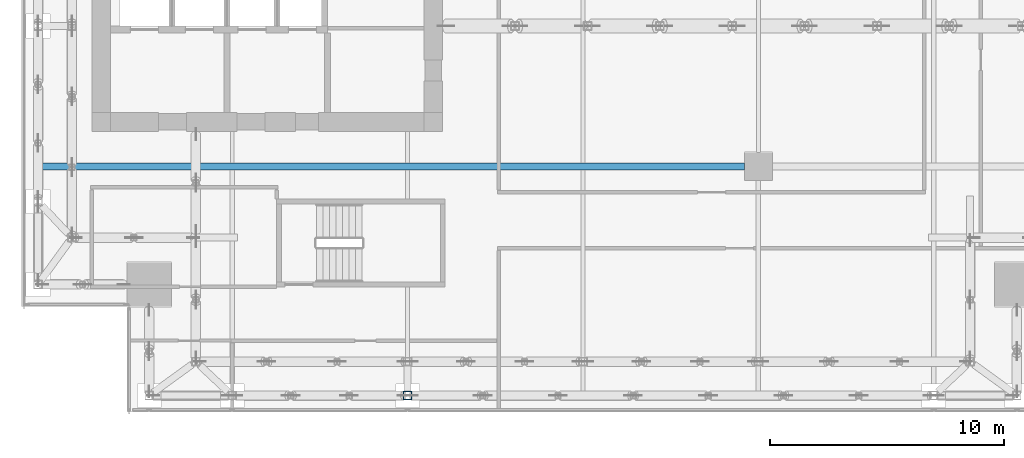
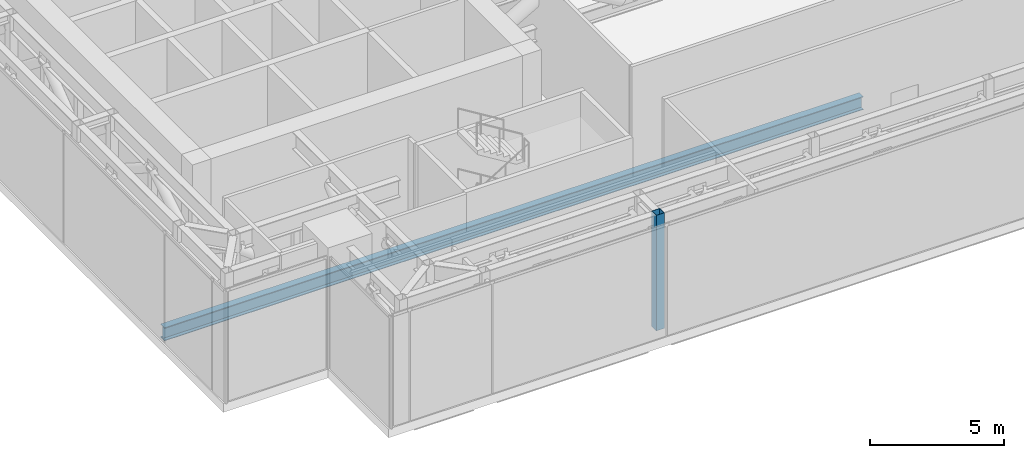
# One storey, part 5 of 36: 1 beam, 1 member.
"""IFC4 building model written with IfcOpenShell, lengths in metres."""

from ifc_helpers import new_model, si_unit, direction, frame, origin, origin_2d, place, context, subcontext, project, spatial, hollow_rectangle, i_section, extrude, source, transform, mapped, material, material_profile, profile_set, type_object, element, save


model = new_model("IFC4")

# Units and contexts
model_context = context("Model", 3, precision=1e-05, world=origin(), true_north=direction((0.0, 1.0)))
body_context = subcontext(model_context, "Body", "Model", "MODEL_VIEW")
ifc_project = project(units=[si_unit("LENGTHUNIT", "METRE"), si_unit("AREAUNIT", "SQUARE_METRE"), si_unit("VOLUMEUNIT", "CUBIC_METRE"), si_unit("PLANEANGLEUNIT", "RADIAN"), si_unit("MASSUNIT", "GRAM", prefix="KILO")], contexts=[model_context])

# Site, building, storey
site_placement = place(None, origin())
site = spatial("IfcSite", under=ifc_project, at=site_placement, CompositionType="ELEMENT")
building_placement = place(site_placement, origin())
building = spatial("IfcBuilding", under=site, at=building_placement, Name="Khomas Fold Tower", CompositionType="ELEMENT")
storey_placement = place(building_placement, frame((0.0, 0.0, 216.699951171875)))
storey = spatial("IfcBuildingStorey", under=building, at=storey_placement, Name="L48", CompositionType="ELEMENT", Elevation=216.699951171875)

# Beam
ifc_material_1 = material(Name="Steel S355", Category="steel")
ifc_material_profile_1 = material_profile(ifc_material_1, i_section(OverallWidth=0.300048828125, OverallDepth=0.60009765625, WebThickness=0.015380859375, FlangeThickness=0.030029296875, at=origin_2d()), Name="HE 600 B")
ifc_profile_set_1 = profile_set([ifc_material_profile_1], Name="Steel S355")
beam_type = type_object("IfcBeamType", Name="HE 600 B beam GB5", PredefinedType="BEAM", material=ifc_profile_set_1)
shared_shape_1 = source(origin(), body_context, "Body", "SweptSolid", [
    extrude(i_section(OverallWidth=0.300048828125, OverallDepth=0.60009765625, WebThickness=0.015380859375, FlangeThickness=0.030029296875, at=origin_2d()), origin(), (0.0, 0.0, 1.0), 30.0498046875),
])
beam_placement = place(storey_placement, frame((3.85009765625, 13.5, -0.699951171875), z_axis=(1.0, 0.0, 0.0), x_axis=(0.0, 1.0, 0.0)))
element("IfcBeam", 1, at=beam_placement, inside=storey, type_object=beam_type, Name="GB5", PredefinedType="BEAM", context=body_context, shape_type="MappedRepresentation", body=[
    mapped(shared_shape_1, transform((0.0, 0.0, 0.0))),
])

# Member
ifc_material_2 = material(Name="Steel S355", Category="steel")
ifc_material_profile_2 = material_profile(ifc_material_2, hollow_rectangle(XDim=0.35009765625, YDim=0.35009765625, WallThickness=0.01611328125, at=origin_2d()), Name="SHS 350x350x16")
ifc_profile_set_2 = profile_set([ifc_material_profile_2], Name="Steel S355")
member_type = type_object("IfcMemberType", Name="BELT TRUSS 3 COLUMN POST SHS 350x350x16", PredefinedType="POST", material=ifc_profile_set_2)
shared_shape_2 = source(origin(), body_context, "Body", "SweptSolid", [
    extrude(hollow_rectangle(XDim=0.35009765625, YDim=0.35009765625, WallThickness=0.01611328125, at=origin_2d()), origin(), (0.0, 0.0, 1.0), 5.25),
])
member_placement = place(storey_placement, frame((19.5, 3.699951171875, 0.0), z_axis=(0.0, 0.0, 1.0), x_axis=(1.0, 0.0, 0.0)))
element("IfcMember", 2, at=member_placement, inside=storey, type_object=member_type, Name="BT3-P", PredefinedType="POST", context=body_context, shape_type="MappedRepresentation", body=[
    mapped(shared_shape_2, transform((0.0, 0.0, 0.0))),
])

save(model, "model.ifc")
